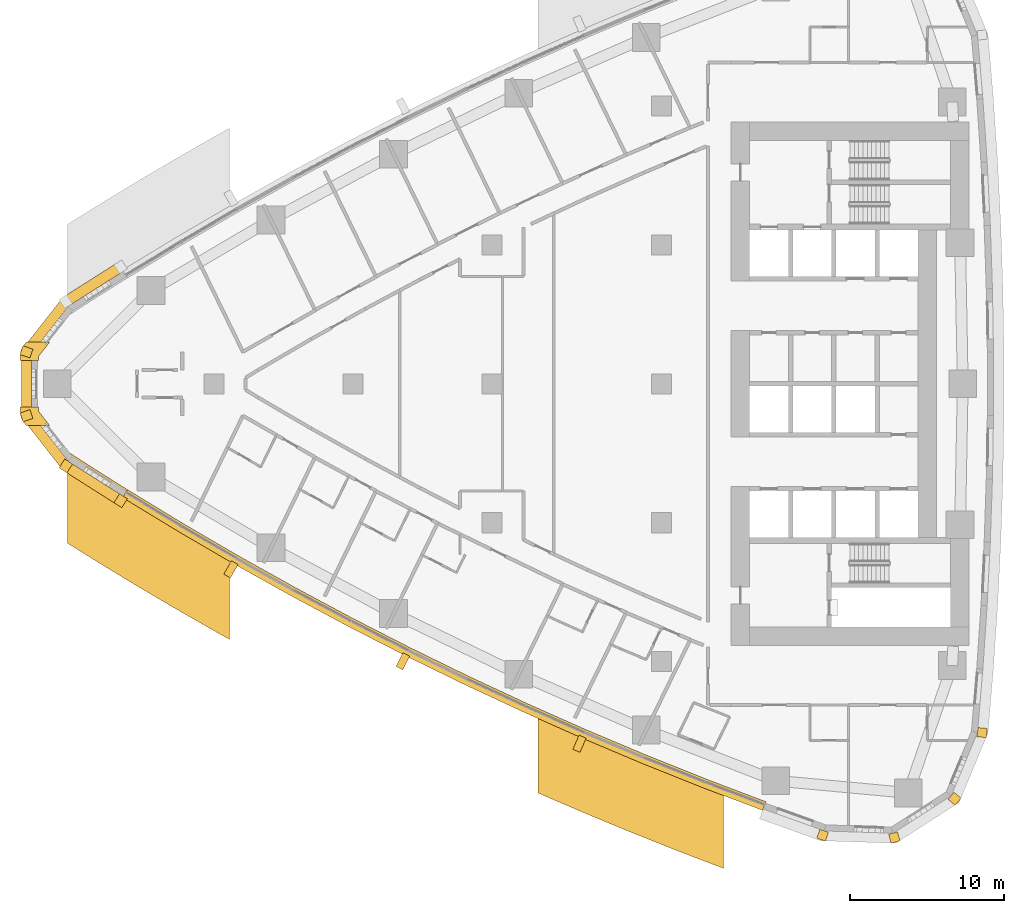
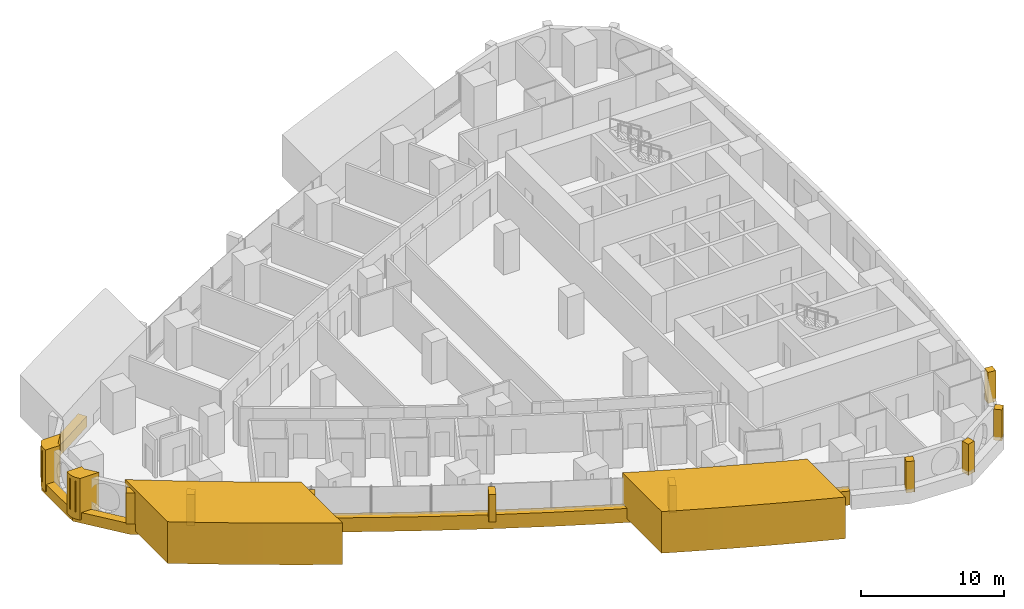
# One storey, part 15 of 19: 17 coverings.
"""IFC4 building model written with IfcOpenShell, lengths in metres."""

import ifcopenshell
import ifcopenshell.guid

model = None  # the IFC model being written
_history = None  # IfcOwnerHistory: only IFC2X3 demands one
_inside = {}  # id of a spatial element -> (the spatial element, [elements in it])
_under = {}  # id of a project, library or spatial element -> (it, [spatial elements below it])
_declared = {}  # id of a project -> (the project, [libraries it declares])
_typed = {}  # id of a type object -> (the type object, [elements of that type])
_made_of = {}  # id of a material, layer set ... -> (it, [elements and type objects made of it])


def new_model(schema):
    """Start an empty IFC model of exactly this schema.

    Asked for "IFC4X3", IfcOpenShell would pick the latest addendum, in which some entities
    have other attributes; the version numbers below select the first issue.
    IFC2X3 requires an IfcOwnerHistory on every rooted entity: one is made here for all.
    """
    global model, _history
    if schema == "IFC4X3":
        model = ifcopenshell.file(schema_version=(4, 3, 0, 0))
    else:
        model = ifcopenshell.file(schema=schema)
    _inside.clear()
    _under.clear()
    _declared.clear()
    _typed.clear()
    _made_of.clear()
    _history = None
    if model.schema == "IFC2X3":
        org = make("IfcOrganization", Name="unknown")
        user = make(
            "IfcPersonAndOrganization",
            ThePerson=make("IfcPerson", FamilyName="unknown"),
            TheOrganization=org,
        )
        app = make(
            "IfcApplication",
            ApplicationDeveloper=org,
            Version="unknown",
            ApplicationFullName="unknown",
            ApplicationIdentifier="unknown",
        )
        _history = make(
            "IfcOwnerHistory",
            OwningUser=user,
            OwningApplication=app,
            ChangeAction="ADDED",
            CreationDate=0,
        )
    return model


def make(cls, **values):
    """One entity of the class cls with the attributes given. An attribute that is None is left unset."""
    return model.create_entity(
        cls, **{name: value for name, value in values.items() if value is not None}
    )


def rooted(cls, **values):
    """An entity with a GlobalId (a new one), such as an element, a storey or a relation."""
    return make(cls, GlobalId=ifcopenshell.guid.new(), OwnerHistory=_history, **values)


def si_unit(unit_type, name, prefix=None):
    """IfcSIUnit, for example si_unit("LENGTHUNIT", "METRE", prefix="MILLI")."""
    return make("IfcSIUnit", UnitType=unit_type, Prefix=prefix, Name=name)


def assignment(units):
    """IfcUnitAssignment: the units of a project."""
    return None if units is None else make("IfcUnitAssignment", Units=units)


def point(xyz):
    """IfcCartesianPoint."""
    return None if xyz is None else make("IfcCartesianPoint", Coordinates=xyz)


def direction(xyz):
    """IfcDirection."""
    return None if xyz is None else make("IfcDirection", DirectionRatios=xyz)


def frame(location, z_axis=None, x_axis=None):
    """IfcAxis2Placement3D, a coordinate frame: its origin and axes. An axis left out is left unset."""
    return make(
        "IfcAxis2Placement3D",
        Location=point(location),
        Axis=direction(z_axis),
        RefDirection=direction(x_axis),
    )


def frame_2d(location, x_axis=None):
    """IfcAxis2Placement2D, a coordinate frame in the plane: its origin and x axis."""
    return make(
        "IfcAxis2Placement2D", Location=point(location), RefDirection=direction(x_axis)
    )


def origin():
    """The frame at (0, 0, 0) with its axes left unset."""
    return frame((0.0, 0.0, 0.0))


def place(relative_to, where):
    """IfcLocalPlacement: puts the frame where relative to a parent placement (None: the world)."""
    return make(
        "IfcLocalPlacement", PlacementRelTo=relative_to, RelativePlacement=where
    )


def context(
    kind, dimensions, precision=None, world=None, true_north=None, identifier=None
):
    """IfcGeometricRepresentationContext, for example the 3D "Model" context."""
    return make(
        "IfcGeometricRepresentationContext",
        ContextIdentifier=identifier,
        ContextType=kind,
        CoordinateSpaceDimension=dimensions,
        Precision=precision,
        WorldCoordinateSystem=world,
        TrueNorth=true_north,
    )


def subcontext(parent, identifier, kind, view, scale=None):
    """IfcGeometricRepresentationSubContext, for example "Body" below "Model"."""
    return make(
        "IfcGeometricRepresentationSubContext",
        ContextIdentifier=identifier,
        ContextType=kind,
        ParentContext=parent,
        TargetScale=scale,
        TargetView=view,
    )


def project(units=None, contexts=None):
    """IfcProject with its units and contexts."""
    return rooted(
        "IfcProject",
        Name="project",
        RepresentationContexts=contexts,
        UnitsInContext=assignment(units),
    )


def spatial(cls, under=None, at=None, **own):
    """A site, building, storey or space (cls), placed at a placement, below another one or the project."""
    s = rooted(cls, ObjectPlacement=at, **own)
    if under is not None:
        _under.setdefault(under.id(), (under, []))[1].append(s)
    return s


def polyline(points):
    """IfcPolyline through the points."""
    return make("IfcPolyline", Points=[point(p) for p in points])


def profile(cls, at=None, kind="AREA", **sizes):
    """A parametric profile (cls). Its sizes go by their IFC names, for example OverallWidth=200.0."""
    return make(cls, ProfileType=kind, Position=at, **sizes)


def rectangle(**sizes):
    """IfcRectangleProfileDef."""
    return profile("IfcRectangleProfileDef", **sizes)


def outline(outer, holes=None, kind="AREA"):
    """IfcArbitraryClosedProfileDef: a profile drawn as a closed curve; with holes, ...WithVoids."""
    if holes is None:
        return make("IfcArbitraryClosedProfileDef", ProfileType=kind, OuterCurve=outer)
    return make(
        "IfcArbitraryProfileDefWithVoids",
        ProfileType=kind,
        OuterCurve=outer,
        InnerCurves=holes,
    )


def extrude(swept, where, along, depth):
    """IfcExtrudedAreaSolid: the profile swept, set in the frame where, extruded along a direction by depth."""
    return make(
        "IfcExtrudedAreaSolid",
        SweptArea=swept,
        Position=where,
        ExtrudedDirection=direction(along),
        Depth=depth,
    )


def shape(context_of_items, identifier, shape_type, items):
    """IfcShapeRepresentation: the items that make up one representation, for example the "Body"."""
    return make(
        "IfcShapeRepresentation",
        ContextOfItems=context_of_items,
        RepresentationIdentifier=identifier,
        RepresentationType=shape_type,
        Items=items,
    )


def material(Name=None, Category=None):
    """IfcMaterial."""
    return make("IfcMaterial", Name=Name, Category=Category)


def layer(
    of_material, thickness, ventilated=None, Name=None, Category=None, Priority=None
):
    """IfcMaterialLayer: one layer of a wall or slab, of a material (None: an air gap)."""
    return make(
        "IfcMaterialLayer",
        Material=of_material,
        LayerThickness=thickness,
        IsVentilated=ventilated,
        Name=Name,
        Category=Category,
        Priority=Priority,
    )


def layer_set(layers, Name=None):
    """IfcMaterialLayerSet."""
    return make("IfcMaterialLayerSet", MaterialLayers=layers, LayerSetName=Name)


def made_of(thing, what):
    """Note that an element or type object is made of a material, layer set ...; save() writes the relation."""
    if what is not None:
        _made_of.setdefault(what.id(), (what, []))[1].append(thing)
    return thing


def type_object(cls, material=None, **own):
    """A type object (cls), such as IfcWallType, which elements share."""
    return made_of(rooted(cls, **own), material)


def element(
    cls,
    number,
    at=None,
    inside=None,
    cuts=None,
    type_object=None,
    material=None,
    context=None,
    identifier="Body",
    shape_type=None,
    held_by="IfcProductDefinitionShape",
    body=None,
    shapes=None,
    **own,
):
    """One element of the class cls, such as IfcWall. Its Tag is "e" and its number.

    at: its placement. inside: the storey or other place that contains it. cuts: it is an
    opening in that element (IfcRelVoidsElement). A single representation is given by context,
    identifier, shape_type and body (its items); several are given by shapes. held_by: the class
    of the entity that holds the representations. save() writes the other relations.
    """
    e = rooted(cls, Tag="e%d" % number, ObjectPlacement=at, **own)
    if body is not None:
        shapes = [shape(context, identifier, shape_type, body)]
    if shapes is not None:
        e.Representation = make(held_by, Representations=shapes)
    if inside is not None:
        _inside.setdefault(inside.id(), (inside, []))[1].append(e)
    if cuts is not None:
        rooted(
            "IfcRelVoidsElement", RelatingBuildingElement=cuts, RelatedOpeningElement=e
        )
    if type_object is not None:
        _typed.setdefault(type_object.id(), (type_object, []))[1].append(e)
    return made_of(e, material)


def aggregate(whole, parts):
    """IfcRelAggregates: a whole, such as a stair, and the parts it consists of."""
    return rooted("IfcRelAggregates", RelatingObject=whole, RelatedObjects=parts)


def save(model, path):
    """Write the relations noted so far, then the file.

    IfcRelAggregates (storeys below a building ...), IfcRelContainedInSpatialStructure (elements
    in a storey), IfcRelDefinesByType, IfcRelAssociatesMaterial and IfcRelDeclares: one each for
    every whole, place, type object, material and project.
    """
    for whole, parts in _under.values():
        aggregate(whole, parts)
    for where, things in _inside.values():
        rooted(
            "IfcRelContainedInSpatialStructure",
            RelatedElements=things,
            RelatingStructure=where,
        )
    for kind, things in _typed.values():
        rooted("IfcRelDefinesByType", RelatedObjects=things, RelatingType=kind)
    for what, things in _made_of.values():
        rooted("IfcRelAssociatesMaterial", RelatedObjects=things, RelatingMaterial=what)
    for by, libraries in _declared.values():
        rooted("IfcRelDeclares", RelatingContext=by, RelatedDefinitions=libraries)
    model.write(path)


model = new_model("IFC4")

# Units and contexts
model_context = context("Model", 3, precision=1e-05, world=origin(), true_north=direction((0.0, 1.0)))
body_context = subcontext(model_context, "Body", "Model", "MODEL_VIEW")
ifc_project = project(units=[si_unit("LENGTHUNIT", "METRE"), si_unit("AREAUNIT", "SQUARE_METRE"), si_unit("VOLUMEUNIT", "CUBIC_METRE"), si_unit("PLANEANGLEUNIT", "RADIAN"), si_unit("MASSUNIT", "GRAM", prefix="KILO")], contexts=[model_context])

# Site, building, storey
site_placement = place(None, origin())
site = spatial("IfcSite", under=ifc_project, at=site_placement, CompositionType="ELEMENT")
building_placement = place(site_placement, origin())
building = spatial("IfcBuilding", under=site, at=building_placement, Name="Ostrand Prow Hotel Tower", CompositionType="ELEMENT")
storey_placement = place(building_placement, frame((0.0, 0.0, 46.699951171875)))
storey = spatial("IfcBuildingStorey", under=building, at=storey_placement, Name="L09", CompositionType="ELEMENT", Elevation=46.699951171875)

# Coverings
ifc_material_1 = material(Name="Bronze anodised aluminium cladding", Category="aluminium")
ifc_layer_1 = layer(ifc_material_1, 0.60009765625)
ifc_layer_set_1 = layer_set([ifc_layer_1], Name="Bronze anodised aluminium cladding")
covering_type_1 = type_object("IfcCoveringType", Name="Bronze prow band 899x600", PredefinedType="CLADDING", material=ifc_layer_set_1)
covering_1_placement = place(storey_placement, frame((0.0, 0.0, -0.300048828125)))
element("IfcCovering", 1, at=covering_1_placement, inside=storey, type_object=covering_type_1, Name="Bronze prow band", PredefinedType="CLADDING", context=body_context, shape_type="SweptSolid", body=[
    extrude(outline(polyline([(9.77734375, 7.864013671875), (6.2197265625, 5.6083984375), (3.53369140625, 2.178466796875), (3.53369140625, -2.178466796875), (6.2197265625, -5.6083984375), (9.77734375, -7.864013671875), (10.13623046875, -7.286376953125), (6.589111328125, -5.03759765625), (4.176513671875, -1.95654296875), (4.176513671875, 1.95654296875), (6.589111328125, 5.03759765625), (10.13623046875, 7.286376953125), (9.77734375, 7.864013671875)])), origin(), (0.0, 0.0, 1.0), 0.900146484375),
])
ifc_material_2 = material(Name="Bronze anodised aluminium cladding", Category="aluminium")
ifc_layer_2 = layer(ifc_material_2, 0.60009765625)
ifc_layer_set_2 = layer_set([ifc_layer_2], Name="Bronze anodised aluminium cladding")
covering_type_2 = type_object("IfcCoveringType", Name="Bronze spandrel band 1200x600", PredefinedType="CLADDING", material=ifc_layer_set_2)
covering_2_placement = place(storey_placement, frame((0.0, 0.0, -0.300048828125)))
element("IfcCovering", 2, at=covering_2_placement, inside=storey, type_object=covering_type_2, Name="Spandrel band S1", PredefinedType="CLADDING", context=body_context, shape_type="SweptSolid", body=[
    extrude(outline(polyline([(10.08349609375, -7.371337890625), (13.672607421875, -9.555419921875), (17.301513671875, -11.673095703125), (20.968994140625, -13.723876953125), (24.673095703125, -15.70654296875), (28.413330078125, -17.62060546875), (32.188232421875, -19.4658203125), (35.996337890625, -21.2412109375), (39.83642578125, -22.946044921875), (43.70751953125, -24.580078125), (47.607666015625, -26.142578125), (51.5361328125, -27.6328125), (51.743896484375, -27.070068359375), (47.82568359375, -25.58349609375), (43.935791015625, -24.025146484375), (40.074951171875, -22.3955078125), (36.244873046875, -20.695068359375), (32.44677734375, -18.92431640625), (28.681884765625, -17.083984375), (24.951416015625, -15.1748046875), (21.2568359375, -13.197509765625), (17.59912109375, -11.152099609375), (13.97998046875, -9.0400390625), (10.39990234375, -6.86181640625), (10.08349609375, -7.371337890625)])), origin(), (0.0, 0.0, 1.0), 1.2001953125),
])
ifc_material_3 = material(Name="Limestone cladding", Category="masonry")
ifc_layer_3 = layer(ifc_material_3, 5.0)
ifc_layer_set_3 = layer_set([ifc_layer_3], Name="Limestone cladding")
covering_type_3 = type_object("IfcCoveringType", Name="Portal jamb pilaster limestone", PredefinedType="CLADDING", material=ifc_layer_set_3)
covering_3_placement = place(storey_placement, origin())
element("IfcCovering", 3, at=covering_3_placement, inside=storey, type_object=covering_type_3, Name="Portal jamb SA L09", PredefinedType="CLADDING", context=body_context, shape_type="SweptSolid", body=[
    extrude(outline(polyline([(6.5, -4.3837890625), (6.5, -10.319580078125), (7.45458984375, -10.917724609375), (8.4091796875, -11.509521484375), (9.363525390625, -12.09521484375), (10.318115234375, -12.67431640625), (11.272705078125, -13.247314453125), (12.227294921875, -13.81396484375), (13.181884765625, -14.37451171875), (14.136474609375, -14.92919921875), (15.0908203125, -15.4775390625), (16.04541015625, -16.020263671875), (17.0, -16.556640625), (17.0, -10.80859375), (16.04541015625, -10.25634765625), (15.0908203125, -9.697998046875), (14.136474609375, -9.13330078125), (13.181884765625, -8.562255859375), (12.227294921875, -7.98486328125), (11.272705078125, -7.401123046875), (10.318115234375, -6.810791015625), (9.363525390625, -6.214111328125), (8.4091796875, -5.610595703125), (7.45458984375, -5.00048828125), (6.5, -4.3837890625)])), origin(), (0.0, 0.0, 1.0), 3.550048828125),
])
covering_4_placement = place(storey_placement, origin())
element("IfcCovering", 4, at=covering_4_placement, inside=storey, type_object=covering_type_3, Name="Portal jamb SB L09", PredefinedType="CLADDING", context=body_context, shape_type="SweptSolid", body=[
    extrude(outline(polyline([(37.0, -21.037109375), (37.0, -26.50927734375), (38.0, -26.945556640625), (39.0, -27.376220703125), (40.0, -27.801513671875), (41.0, -28.22119140625), (42.0, -28.635498046875), (43.0, -29.044189453125), (44.0, -29.447509765625), (45.0, -29.845703125), (46.0, -30.23828125), (47.0, -30.62548828125), (48.0, -31.0078125), (49.0, -31.384521484375), (49.0, -26.03759765625), (48.0, -25.6513671875), (47.0, -25.259765625), (46.0, -24.862548828125), (45.0, -24.459716796875), (44.0, -24.051513671875), (43.0, -23.637939453125), (42.0, -23.218505859375), (41.0, -22.793701171875), (40.0, -22.363037109375), (39.0, -21.9267578125), (38.0, -21.484619140625), (37.0, -21.037109375)])), origin(), (0.0, 0.0, 1.0), 3.550048828125),
])
ifc_material_4 = material(Name="Limestone cladding", Category="masonry")
ifc_layer_4 = layer(ifc_material_4, 0.5)
ifc_layer_set_4 = layer_set([ifc_layer_4], Name="Limestone cladding")
covering_type_4 = type_object("IfcCoveringType", Name="Precast stone fin 500x900", PredefinedType="CLADDING", material=ifc_layer_set_4)
for number, where, z_axis, x_axis, name in (
    (5, (17.351318359375, -11.58642578125, 0.900146484375), (0.0, 0.0, 1.0), (-0.496138938357, -0.868243142124, 0.0), "Stone fin S 3"),
    (6, (28.458251953125, -17.53125, 0.900146484375), (0.0, 0.0, 1.0), (-0.447506538147, -0.894280659701, 0.0), "Stone fin S 6"),
    (7, (39.876220703125, -22.854248046875, 0.900146484375), (0.0, 0.0, 1.0), (-0.397216867903, -0.917724773477, 0.0), "Stone fin S 9"),
):
    element("IfcCovering", number, at=place(storey_placement, frame(where, z_axis=z_axis, x_axis=x_axis)), inside=storey, type_object=covering_type_4, Name=name, PredefinedType="CLADDING", context=body_context, shape_type="SweptSolid", body=[
        extrude(rectangle(XDim=1.0, YDim=0.5, at=frame_2d((0.5, 0.0))), origin(), (0.0, 0.0, 1.0), 2.349853515625),
    ])
ifc_material_5 = material(Name="Limestone cladding", Category="masonry")
ifc_layer_5 = layer(ifc_material_5, 0.60009765625)
ifc_layer_set_5 = layer_set([ifc_layer_5], Name="Limestone cladding")
covering_type_5 = type_object("IfcCoveringType", Name="Precast stone prow rib 600x600", PredefinedType="CLADDING", material=ifc_layer_set_5)
for number, where, z_axis, x_axis, name in (
    (8, (4.176513671875, 1.95654296875, 0.60009765625), (0.0, 0.0, 1.0), (-0.945254650653, 0.326333641262, 0.0), "Stone prow rib 3"),
    (9, (4.176513671875, -1.95654296875, 0.60009765625), (0.0, 0.0, 1.0), (-0.945254650653, -0.326333641262, 0.0), "Stone prow rib 4"),
    (10, (6.589111328125, -5.03759765625, 0.60009765625), (0.0, 0.0, 1.0), (-0.543295944087, -0.839541253983, 0.0), "Stone prow rib 5"),
    (11, (10.13623046875, -7.286376953125, 0.60009765625), (0.0, 0.0, 1.0), (-0.527738148304, -0.849407114889, 0.0), "Stone prow rib 6"),
):
    element("IfcCovering", number, at=place(storey_placement, frame(where, z_axis=z_axis, x_axis=x_axis)), inside=storey, type_object=covering_type_5, Name=name, PredefinedType="CLADDING", context=body_context, shape_type="SweptSolid", body=[
        extrude(rectangle(XDim=0.679931640625, YDim=0.60009765625, at=frame_2d((0.33984375, 0.0))), origin(), (0.0, 0.0, 1.0), 2.64990234375),
    ])
for number, where, z_axis, x_axis, name in (
    (12, (55.524169921875, -28.956298828125, 0.60009765625), (0.0, 0.0, 1.0), (-0.328773122904, -0.94440893349, 0.0), "Stone corner rib 2a"),
    (13, (59.98681640625, -29.1025390625, 0.60009765625), (0.0, 0.0, 1.0), (0.266111535611, -0.963942244439, 0.0), "Stone corner rib 3a"),
    (14, (63.74169921875, -26.6865234375, 0.60009765625), (0.0, 0.0, 1.0), (0.766985844654, -0.641664019639, 0.0), "Stone corner rib 4a"),
    (15, (65.4580078125, -22.564453125, 0.60009765625), (0.0, 0.0, 1.0), (0.995724747837, -0.09237005221, 0.0), "Stone corner rib 4b"),
):
    element("IfcCovering", number, at=place(storey_placement, frame(where, z_axis=z_axis, x_axis=x_axis)), inside=storey, type_object=covering_type_5, Name=name, PredefinedType="CLADDING", context=body_context, shape_type="SweptSolid", body=[
        extrude(rectangle(XDim=0.60009765625, YDim=0.60009765625, at=frame_2d((0.300048828125, 0.0))), origin(), (0.0, 0.0, 1.0), 2.64990234375),
    ])
ifc_material_6 = material(Name="Limestone cladding", Category="masonry")
ifc_layer_6 = layer(ifc_material_6, 3.0)
ifc_layer_set_6 = layer_set([ifc_layer_6], Name="Limestone cladding")
covering_type_6 = type_object("IfcCoveringType", Name="Prow nose pier limestone", PredefinedType="CLADDING", material=ifc_layer_set_6)
covering_5_placement = place(storey_placement, origin())
element("IfcCovering", 16, at=covering_5_placement, inside=storey, type_object=covering_type_6, Name="Prow spine fin N L09", PredefinedType="CLADDING", context=body_context, shape_type="SweptSolid", body=[
    extrude(outline(polyline([(3.44921875, 1.793701171875), (3.44921875, 1.5), (4.649169921875, 1.5), (4.649169921875, 1.793701171875), (5.35888671875, 2.699951171875), (3.834716796875, 2.699951171875), (3.704345703125, 2.533447265625), (3.638427734375, 2.440673828125), (3.581787109375, 2.341796875), (3.53466796875, 2.23828125), (3.49755859375, 2.130615234375), (3.470703125, 2.02001953125), (3.45458984375, 1.9072265625), (3.44921875, 1.793701171875)])), origin(), (0.0, 0.0, 1.0), 3.550048828125),
])
covering_6_placement = place(storey_placement, origin())
element("IfcCovering", 17, at=covering_6_placement, inside=storey, type_object=covering_type_6, Name="Prow spine fin S L09", PredefinedType="CLADDING", context=body_context, shape_type="SweptSolid", body=[
    extrude(outline(polyline([(3.704345703125, -2.533447265625), (3.834716796875, -2.699951171875), (5.35888671875, -2.699951171875), (4.649169921875, -1.793701171875), (4.649169921875, -1.5), (3.44921875, -1.5), (3.44921875, -1.793701171875), (3.45458984375, -1.9072265625), (3.470703125, -2.02001953125), (3.49755859375, -2.130615234375), (3.53466796875, -2.23828125), (3.581787109375, -2.341796875), (3.638427734375, -2.440673828125), (3.704345703125, -2.533447265625)])), origin(), (0.0, 0.0, 1.0), 3.550048828125),
])

save(model, "model.ifc")
